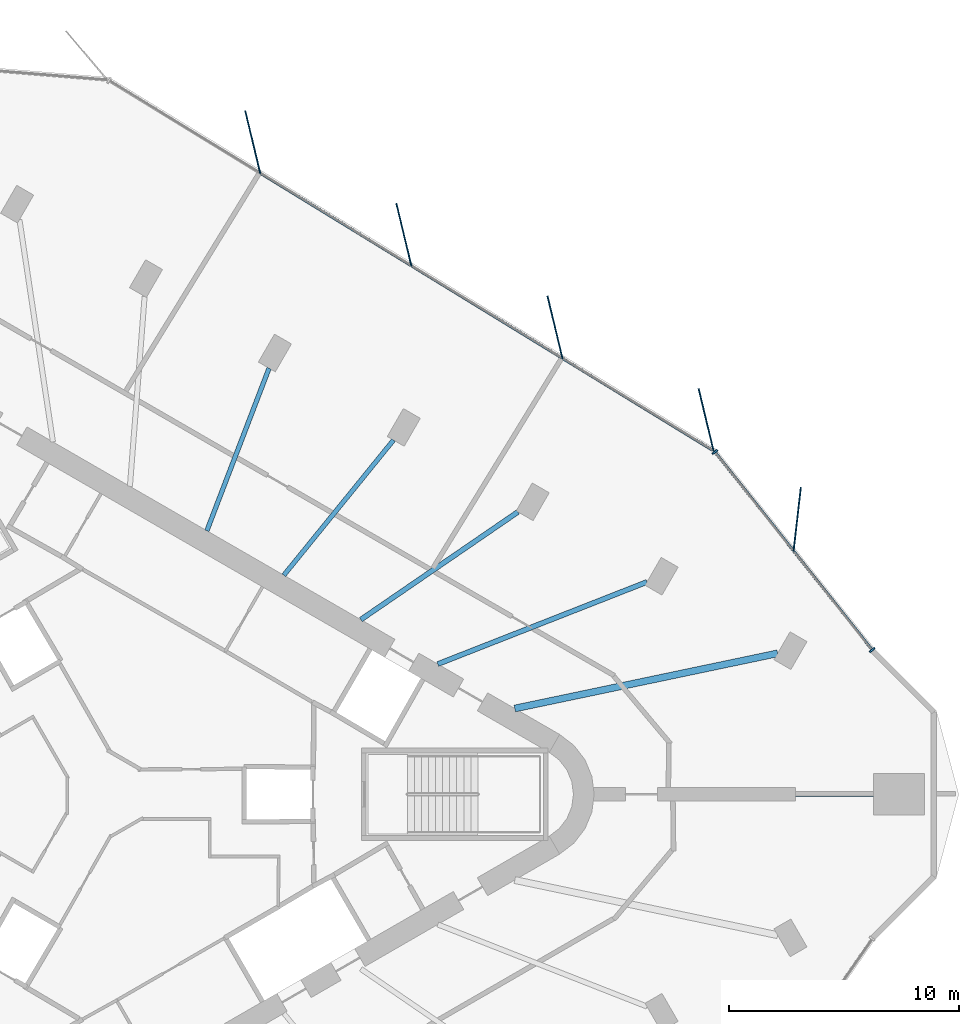
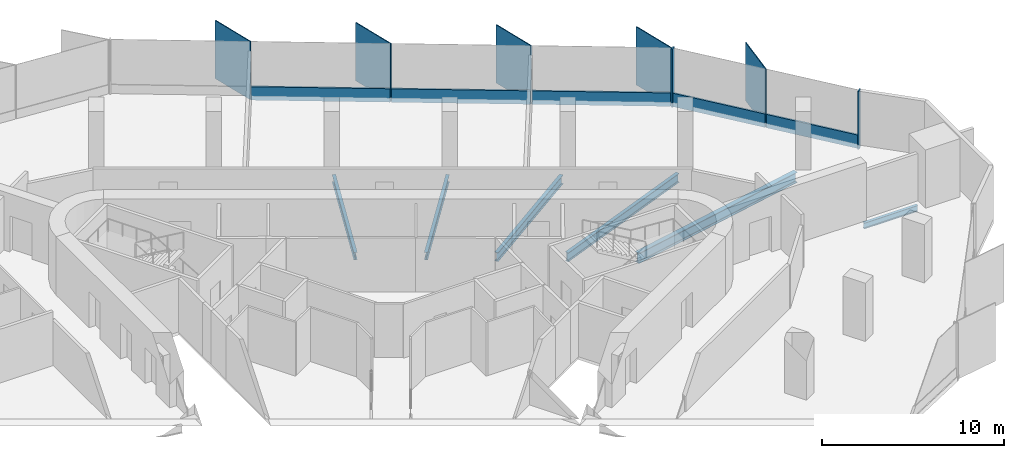
# One storey, part 5 of 13: 12 members, 6 beams, 2 elements without a shape of their own.
"""IFC4 building model written with IfcOpenShell, lengths in metres."""

from ifc_helpers import new_model, si_unit, direction, frame, origin, origin_2d, place, context, subcontext, project, spatial, rectangle, i_section, extrude, material, material_profile, profile_set, type_object, element, aggregate, save


model = new_model("IFC4")

# Units and contexts
model_context = context("Model", 3, precision=1e-05, world=origin(), true_north=direction((0.0, 1.0)))
body_context = subcontext(model_context, "Body", "Model", "MODEL_VIEW")
ifc_project = project(units=[si_unit("LENGTHUNIT", "METRE"), si_unit("AREAUNIT", "SQUARE_METRE"), si_unit("VOLUMEUNIT", "CUBIC_METRE"), si_unit("PLANEANGLEUNIT", "RADIAN"), si_unit("MASSUNIT", "GRAM", prefix="KILO")], contexts=[model_context])

# Site, building, storey
site_placement = place(None, origin())
site = spatial("IfcSite", under=ifc_project, at=site_placement, CompositionType="ELEMENT")
building_placement = place(site_placement, origin())
building = spatial("IfcBuilding", under=site, at=building_placement, Name="Tanit Gate Tower", CompositionType="ELEMENT")
storey_placement = place(building_placement, frame((0.0, 0.0, 329.89990234375)))
storey = spatial("IfcBuildingStorey", under=building, at=storey_placement, Name="L74", CompositionType="ELEMENT", Elevation=329.89990234375)

# Curtain wall, member
ifc_material_1 = material(Name="Aluminium bronze anodised and glass", Category="aluminium")
curtain_wall_type = type_object("IfcCurtainWallType", Name="Curtain wall typical high", PredefinedType="NOTDEFINED", material=ifc_material_1)
curtain_wall_1_placement = place(storey_placement, origin())
curtain_wall_1 = element("IfcCurtainWall", 1, at=curtain_wall_1_placement, inside=storey, type_object=curtain_wall_type, Name="Curtain wall L74 NE1", PredefinedType="NOTDEFINED")
ifc_material_2 = material(Name="Aluminium bronze anodised", Category="aluminium")
ifc_material_profile_1 = material_profile(ifc_material_2, rectangle(XDim=2.800048828125, YDim=0.055908203125, at=origin_2d()), Name="56x2800 bronze fin mullion")
ifc_profile_set_1 = profile_set([ifc_material_profile_1], Name="Aluminium bronze anodised")
member_type_1 = type_object("IfcMemberType", Name="FIN MULLION 56x2800 bronze", PredefinedType="MULLION", material=ifc_profile_set_1)
member_1_placement = place(storey_placement, frame((30.015869140625, 11.937255859375, -0.2998046875), z_axis=(0.0, 0.0, 1.0), x_axis=(-0.113810678884, -0.993502455645, 0.0)))
member_1 = element("IfcMember", 2, at=member_1_placement, type_object=member_type_1, Name="Fin mullion L74 NE1.2", PredefinedType="MULLION", context=body_context, shape_type="SweptSolid", body=[
    extrude(rectangle(XDim=2.800048828125, YDim=0.055908203125, at=origin_2d()), origin(), (0.0, 0.0, 1.0), 3.89990234375),
])

# Curtain wall, members
curtain_wall_2_placement = place(storey_placement, origin())
curtain_wall_2 = element("IfcCurtainWall", 3, at=curtain_wall_2_placement, inside=storey, type_object=curtain_wall_type, Name="Curtain wall L74 NE2", PredefinedType="NOTDEFINED")
member_2_placement = place(storey_placement, frame((26.061767578125, 16.259521484375, -0.2998046875), z_axis=(0.0, 0.0, 1.0), x_axis=(0.23355666729, -0.97234319207, 0.0)))
member_2 = element("IfcMember", 4, at=member_2_placement, type_object=member_type_1, Name="Fin mullion L74 NE2.1", PredefinedType="MULLION", context=body_context, shape_type="SweptSolid", body=[
    extrude(rectangle(XDim=2.800048828125, YDim=0.055908203125, at=origin_2d()), origin(), (0.0, 0.0, 1.0), 3.89990234375),
])
member_3_placement = place(storey_placement, frame((19.498046875, 20.28076171875, -0.2998046875), z_axis=(0.0, 0.0, 1.0), x_axis=(0.23355666729, -0.97234319207, 0.0)))
member_3 = element("IfcMember", 5, at=member_3_placement, type_object=member_type_1, Name="Fin mullion L74 NE2.2", PredefinedType="MULLION", context=body_context, shape_type="SweptSolid", body=[
    extrude(rectangle(XDim=2.800048828125, YDim=0.055908203125, at=origin_2d()), origin(), (0.0, 0.0, 1.0), 3.89990234375),
])
member_4_placement = place(storey_placement, frame((12.934326171875, 24.302001953125, -0.2998046875), z_axis=(0.0, 0.0, 1.0), x_axis=(0.23355666729, -0.97234319207, 0.0)))
member_4 = element("IfcMember", 6, at=member_4_placement, type_object=member_type_1, Name="Fin mullion L74 NE2.3", PredefinedType="MULLION", context=body_context, shape_type="SweptSolid", body=[
    extrude(rectangle(XDim=2.800048828125, YDim=0.055908203125, at=origin_2d()), origin(), (0.0, 0.0, 1.0), 3.89990234375),
])
member_5_placement = place(storey_placement, frame((6.37060546875, 28.3232421875, -0.2998046875), z_axis=(0.0, 0.0, 1.0), x_axis=(0.23355666729, -0.97234319207, 0.0)))
member_5 = element("IfcMember", 7, at=member_5_placement, type_object=member_type_1, Name="Fin mullion L74 NE2.4", PredefinedType="MULLION", context=body_context, shape_type="SweptSolid", body=[
    extrude(rectangle(XDim=2.800048828125, YDim=0.055908203125, at=origin_2d()), origin(), (0.0, 0.0, 1.0), 3.89990234375),
])

# Member
ifc_material_3 = material(Name="Aluminium bronze anodised", Category="aluminium")
ifc_material_profile_2 = material_profile(ifc_material_3, rectangle(XDim=0.280029296875, YDim=0.080078125, at=origin_2d()), Name="80x280 bronze mullion")
ifc_profile_set_2 = profile_set([ifc_material_profile_2], Name="Aluminium bronze anodised")
member_type_2 = type_object("IfcMemberType", Name="Mullion 80x280 typical high", PredefinedType="MULLION", material=ifc_profile_set_2)
member_6_placement = place(storey_placement, frame((33.2744140625, 6.2666015625, -0.2998046875), z_axis=(0.0, 0.0, 1.0), x_axis=(-0.782988626322, -0.622036020701, 0.0)))
member_6 = element("IfcMember", 8, at=member_6_placement, type_object=member_type_2, Name="Mullion L74 NE1.1", PredefinedType="MULLION", context=body_context, shape_type="SweptSolid", body=[
    extrude(rectangle(XDim=0.280029296875, YDim=0.080078125, at=origin_2d()), origin(), (0.0, 0.0, 1.0), 3.89990234375),
])

member_7_placement = place(storey_placement, frame((26.443115234375, 14.865478515625, -0.2998046875), z_axis=(0.0, 0.0, 1.0), x_axis=(-0.782988626322, -0.622036020701, 0.0)))
member_7 = element("IfcMember", 9, at=member_7_placement, type_object=member_type_2, Name="Mullion L74 NE1.3", PredefinedType="MULLION", context=body_context, shape_type="SweptSolid", body=[
    extrude(rectangle(XDim=0.280029296875, YDim=0.080078125, at=origin_2d()), origin(), (0.0, 0.0, 1.0), 3.89990234375),
])

# Beams
ifc_material_4 = material(Name="Steel S355", Category="steel")
ifc_material_profile_3 = material_profile(ifc_material_4, i_section(OverallWidth=0.300048828125, OverallDepth=0.68994140625, WebThickness=0.014404296875, FlangeThickness=0.027099609375, FilletRadius=0.027099609375, at=origin_2d()), Name="HEA 700")
ifc_profile_set_3 = profile_set([ifc_material_profile_3], Name="Steel S355")
beam_type_1 = type_object("IfcBeamType", Name="RADIAL GIRDER HEA 700 S355", PredefinedType="BEAM", material=ifc_profile_set_3)
beam_1_placement = place(storey_placement, frame((29.166015625, 6.119873046875, -0.64501953125), z_axis=(-0.978685947047, -0.205362647655, 0.0), x_axis=(0.205362647655, -0.978685947047, 0.0)))
element("IfcBeam", 10, at=beam_1_placement, inside=storey, type_object=beam_type_1, Name="RADIAL GIRDER", PredefinedType="BEAM", context=body_context, shape_type="SweptSolid", body=[
    extrude(i_section(OverallWidth=0.300048828125, OverallDepth=0.68994140625, WebThickness=0.014404296875, FlangeThickness=0.027099609375, FilletRadius=0.027099609375, at=origin_2d()), origin(), (0.0, 0.0, 1.0), 11.662353515625),
])
ifc_material_5 = material(Name="Steel S355", Category="steel")
ifc_material_profile_4 = material_profile(ifc_material_5, i_section(OverallWidth=0.179931640625, OverallDepth=0.39990234375, WebThickness=0.008544921875, FlangeThickness=0.013427734375, FilletRadius=0.02099609375, at=origin_2d()), Name="IPE 400")
ifc_profile_set_4 = profile_set([ifc_material_profile_4], Name="Steel S355")
beam_type_2 = type_object("IfcBeamType", Name="RADIAL GIRDER IPE 400 S355", PredefinedType="BEAM", material=ifc_profile_set_4)
beam_2_placement = place(storey_placement, frame((33.3349609375, 0.0, -0.5), z_axis=(-1.0, 0.0, 0.0), x_axis=(0.0, -1.0, 0.0)))
element("IfcBeam", 11, at=beam_2_placement, inside=storey, type_object=beam_type_2, Name="RADIAL GIRDER", PredefinedType="BEAM", context=body_context, shape_type="SweptSolid", body=[
    extrude(i_section(OverallWidth=0.179931640625, OverallDepth=0.39990234375, WebThickness=0.008544921875, FlangeThickness=0.013427734375, FilletRadius=0.02099609375, at=origin_2d()), origin(), (0.0, 0.0, 1.0), 3.397705078125),
])
ifc_material_6 = material(Name="Steel S355", Category="steel")
ifc_material_profile_5 = material_profile(ifc_material_6, i_section(OverallWidth=0.199951171875, OverallDepth=0.5, WebThickness=0.01025390625, FlangeThickness=0.01611328125, FilletRadius=0.02099609375, at=origin_2d()), Name="IPE 500")
ifc_profile_set_5 = profile_set([ifc_material_profile_5], Name="Steel S355")
beam_type_3 = type_object("IfcBeamType", Name="RADIAL GIRDER IPE 500 S355", PredefinedType="BEAM", material=ifc_profile_set_5)
for number, where, z_axis, x_axis, name in (
    (12, (12.484130859375, 15.38232421875, -0.5498046875), (-0.630160700976, -0.776464739023, 0.0), (0.776464739023, -0.630160700976, 0.0), "RADIAL GIRDER"),
    (13, (7.07958984375, 18.502685546875, -0.5498046875), (-0.357365465254, -0.93396462687, 0.0), (0.93396462687, -0.357365465254, 0.0), "RADIAL GIRDER"),
):
    element("IfcBeam", number, at=place(storey_placement, frame(where, z_axis=z_axis, x_axis=x_axis)), inside=storey, type_object=beam_type_3, Name=name, PredefinedType="BEAM", context=body_context, shape_type="SweptSolid", body=[
        extrude(i_section(OverallWidth=0.199951171875, OverallDepth=0.5, WebThickness=0.01025390625, FlangeThickness=0.01611328125, FilletRadius=0.02099609375, at=origin_2d()), origin(), (0.0, 0.0, 1.0), 7.555908203125),
    ])
ifc_material_7 = material(Name="Steel S355", Category="steel")
ifc_material_profile_6 = material_profile(ifc_material_7, i_section(OverallWidth=0.219970703125, OverallDepth=0.60009765625, WebThickness=0.011962890625, FlangeThickness=0.01904296875, FilletRadius=0.02392578125, at=origin_2d()), Name="IPE 600")
ifc_profile_set_6 = profile_set([ifc_material_profile_6], Name="Steel S355")
beam_type_4 = type_object("IfcBeamType", Name="RADIAL GIRDER IPE 600 S355", PredefinedType="BEAM", material=ifc_profile_set_6)
beam_3_placement = place(storey_placement, frame((23.4921875, 9.219970703125, -0.599853515625), z_axis=(-0.930869443065, -0.365351994614, 0.0), x_axis=(0.365351994614, -0.930869443065, 0.0)))
element("IfcBeam", 14, at=beam_3_placement, inside=storey, type_object=beam_type_4, Name="RADIAL GIRDER", PredefinedType="BEAM", context=body_context, shape_type="SweptSolid", body=[
    extrude(i_section(OverallWidth=0.219970703125, OverallDepth=0.60009765625, WebThickness=0.011962890625, FlangeThickness=0.01904296875, FilletRadius=0.02392578125, at=origin_2d()), origin(), (0.0, 0.0, 1.0), 9.757568359375),
])
beam_4_placement = place(storey_placement, frame((17.888671875, 12.26220703125, -0.599853515625), z_axis=(-0.824811044423, -0.565408472698, 0.0), x_axis=(0.565408472698, -0.824811044423, 0.0)))
element("IfcBeam", 15, at=beam_4_placement, inside=storey, type_object=beam_type_4, Name="RADIAL GIRDER", PredefinedType="BEAM", context=body_context, shape_type="SweptSolid", body=[
    extrude(i_section(OverallWidth=0.219970703125, OverallDepth=0.60009765625, WebThickness=0.011962890625, FlangeThickness=0.01904296875, FilletRadius=0.02392578125, at=origin_2d()), origin(), (0.0, 0.0, 1.0), 8.27197265625),
])

# Member
ifc_material_8 = material(Name="Aluminium bronze anodised", Category="aluminium")
ifc_material_profile_7 = material_profile(ifc_material_8, rectangle(XDim=0.1201171875, YDim=0.89990234375, at=origin_2d()), Name="120x900 bronze transom")
ifc_profile_set_7 = profile_set([ifc_material_profile_7], Name="Aluminium bronze anodised")
member_type_3 = type_object("IfcMemberType", Name="Transom 120x900 typical high", PredefinedType="USERDEFINED", material=ifc_profile_set_7)
member_8_placement = place(storey_placement, frame((33.24951171875, 6.2978515625, 0.150146484375), z_axis=(-0.622044890855, 0.782981579452, 0.0), x_axis=(-0.782981579452, -0.622044890855, 0.0)))
member_8 = element("IfcMember", 16, at=member_8_placement, type_object=member_type_3, Name="Transom L74 NE1.1", ObjectType="TRANSOM", PredefinedType="USERDEFINED", context=body_context, shape_type="SweptSolid", body=[
    extrude(rectangle(XDim=0.1201171875, YDim=0.89990234375, at=origin_2d()), origin(), (0.0, 0.0, 1.0), 5.4111328125),
])

member_9_placement = place(storey_placement, frame((29.833740234375, 10.59716796875, 0.150146484375), z_axis=(-0.622017229508, 0.783003554395, 0.0), x_axis=(-0.783003554395, -0.622017229508, 0.0)))
member_9 = element("IfcMember", 17, at=member_9_placement, type_object=member_type_3, Name="Transom L74 NE1.2", ObjectType="TRANSOM", PredefinedType="USERDEFINED", context=body_context, shape_type="SweptSolid", body=[
    extrude(rectangle(XDim=0.1201171875, YDim=0.89990234375, at=origin_2d()), origin(), (0.0, 0.0, 1.0), 5.410888671875),
])

aggregate(curtain_wall_1, [member_6, member_1, member_7, member_8, member_9])

member_10_placement = place(storey_placement, frame((26.35009765625, 14.9384765625, 0.150146484375), z_axis=(-0.852699808999, 0.522401221029, 0.0), x_axis=(-0.522401221029, -0.852699808999, 0.0)))
member_10 = element("IfcMember", 18, at=member_10_placement, type_object=member_type_3, Name="Transom L74 NE2.1", ObjectType="TRANSOM", PredefinedType="USERDEFINED", context=body_context, shape_type="SweptSolid", body=[
    extrude(rectangle(XDim=0.1201171875, YDim=0.89990234375, at=origin_2d()), origin(), (0.0, 0.0, 1.0), 7.61767578125),
])

member_11_placement = place(storey_placement, frame((19.786376953125, 18.959716796875, 0.150146484375), z_axis=(-0.852699808999, 0.522401221029, 0.0), x_axis=(-0.522401221029, -0.852699808999, 0.0)))
member_11 = element("IfcMember", 19, at=member_11_placement, type_object=member_type_3, Name="Transom L74 NE2.2", ObjectType="TRANSOM", PredefinedType="USERDEFINED", context=body_context, shape_type="SweptSolid", body=[
    extrude(rectangle(XDim=0.1201171875, YDim=0.89990234375, at=origin_2d()), origin(), (0.0, 0.0, 1.0), 7.61767578125),
])

member_12_placement = place(storey_placement, frame((13.222412109375, 22.98095703125, 0.150146484375), z_axis=(-0.852691062329, 0.522415497687, 0.0), x_axis=(-0.522415497687, -0.852691062329, 0.0)))
member_12 = element("IfcMember", 20, at=member_12_placement, type_object=member_type_3, Name="Transom L74 NE2.3", ObjectType="TRANSOM", PredefinedType="USERDEFINED", context=body_context, shape_type="SweptSolid", body=[
    extrude(rectangle(XDim=0.1201171875, YDim=0.89990234375, at=origin_2d()), origin(), (0.0, 0.0, 1.0), 7.617431640625),
])

aggregate(curtain_wall_2, [member_2, member_3, member_4, member_5, member_10, member_11, member_12])

save(model, "model.ifc")
